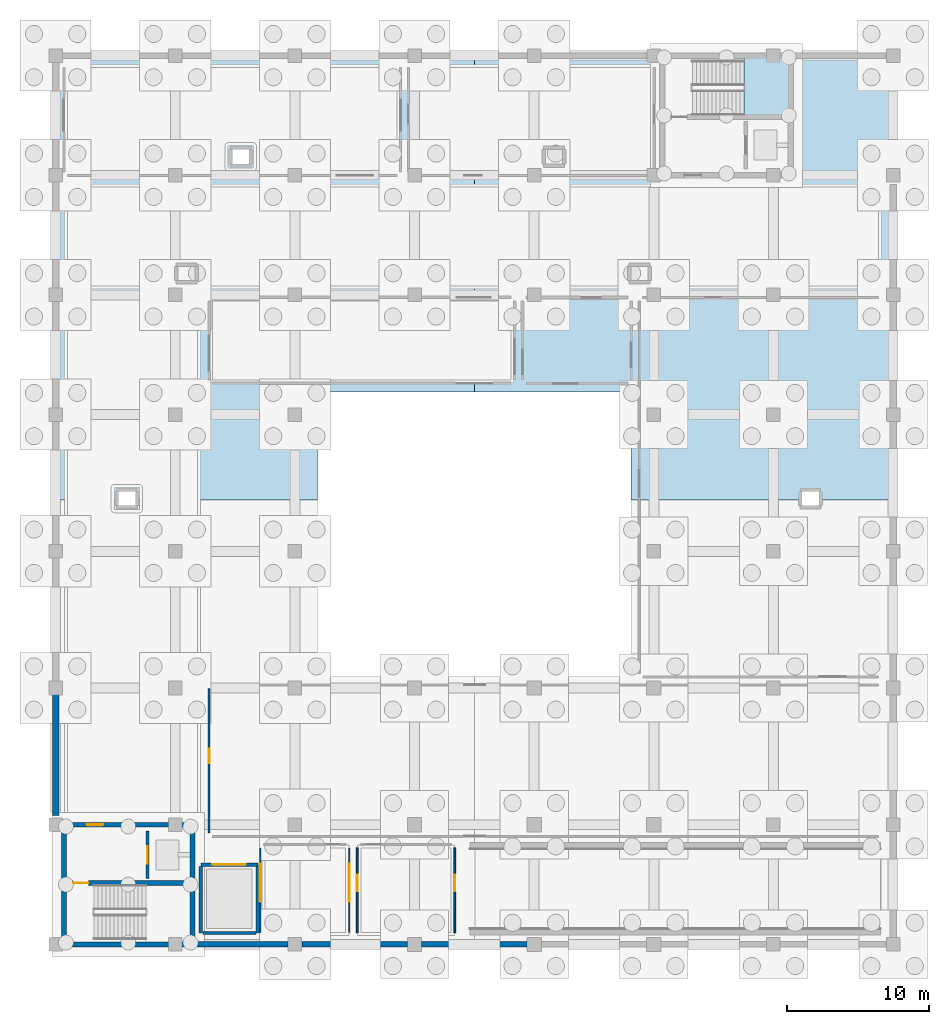
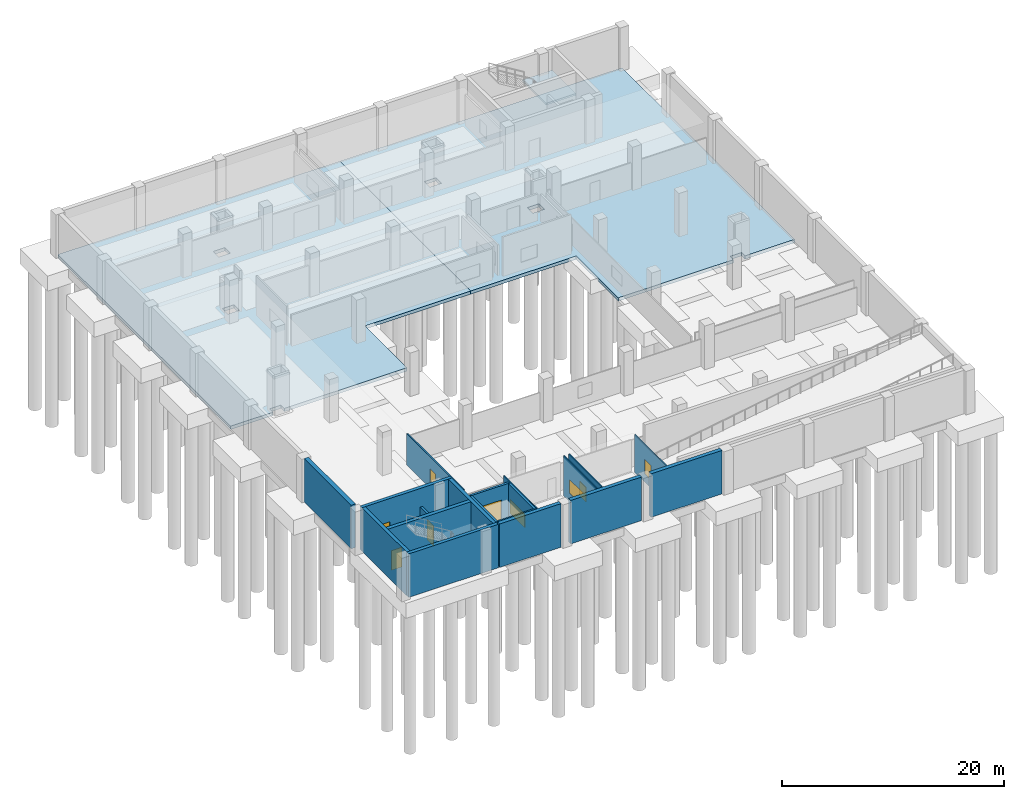
# One storey, part 5 of 12: 19 walls, 5 doors, 4 windows, 3 slabs, 9 openings, 1 element without a shape of its own.
"""IFC4 building model written with IfcOpenShell, lengths in metres."""

from ifc_helpers import new_model, si_unit, direction, frame, frame_2d, origin, place, context, subcontext, project, spatial, polyline, rectangle, outline, extrude, material, layer, layer_set, type_object, element, fill, aggregate, save


model = new_model("IFC4")

# Units and contexts
model_context = context("Model", 3, precision=1e-05, world=origin(), true_north=direction((0.0, 1.0)))
body_context = subcontext(model_context, "Body", "Model", "MODEL_VIEW")
ifc_project = project(units=[si_unit("LENGTHUNIT", "METRE"), si_unit("AREAUNIT", "SQUARE_METRE"), si_unit("VOLUMEUNIT", "CUBIC_METRE"), si_unit("PLANEANGLEUNIT", "RADIAN"), si_unit("MASSUNIT", "GRAM", prefix="KILO")], contexts=[model_context])

# Site, building, storey
site_placement = place(None, origin())
site = spatial("IfcSite", under=ifc_project, at=site_placement, CompositionType="ELEMENT")
building_placement = place(site_placement, origin())
building = spatial("IfcBuilding", under=site, at=building_placement, Name="Zulmaris Art Gallery", CompositionType="ELEMENT")
storey_placement = place(building_placement, frame((0.0, 0.0, -4.800048828125)))
storey = spatial("IfcBuildingStorey", under=building, at=storey_placement, Name="B1", CompositionType="ELEMENT", Elevation=-4.800048828125)

# Slabs
ifc_material_1 = material(Name="Concrete C40/50", Category="concrete")
ifc_layer_1 = layer(ifc_material_1, 0.360107421875)
ifc_layer_set_1 = layer_set([ifc_layer_1], Name="Concrete C40/50")
slab_type_1 = type_object("IfcSlabType", Name="SLAB-SL-BS02", PredefinedType="BASESLAB", material=ifc_layer_set_1)
slab_1_placement = place(storey_placement, frame((0.0, 0.0, -0.35986328125)))
element("IfcSlab", 1, at=slab_1_placement, inside=storey, type_object=slab_type_1, Name="B1 V5-NW slab", PredefinedType="BASESLAB", context=body_context, shape_type="SweptSolid", body=[
    extrude(outline(polyline([(171.0, 75.60009765625), (171.0, 52.0), (160.0, 52.0), (160.0, 44.39990234375), (147.199951171875, 44.39990234375), (147.199951171875, 45.0), (146.0, 45.0), (146.0, 44.39990234375), (141.60009765625, 44.39990234375), (141.60009765625, 75.60009765625), (171.0, 75.60009765625)]), holes=[polyline([(151.39990234375, 60.800048828125), (150.199951171875, 60.800048828125), (150.199951171875, 59.800048828125), (151.39990234375, 59.800048828125), (151.39990234375, 60.800048828125)]), polyline([(155.199951171875, 68.0), (155.199951171875, 69.0), (154.0, 69.0), (154.0, 68.0), (155.199951171875, 68.0)])]), origin(), (0.0, 0.0, 1.0), 0.35986328125),
])
slab_2_placement = place(storey_placement, frame((0.0, 0.0, -0.35986328125)))
element("IfcSlab", 2, at=slab_2_placement, inside=storey, type_object=slab_type_1, Name="B1 V5-NE slab", PredefinedType="BASESLAB", context=body_context, shape_type="SweptSolid", body=[
    extrude(outline(polyline([(200.39990234375, 44.39990234375), (195.199951171875, 44.39990234375), (195.199951171875, 45.0), (194.0, 45.0), (194.0, 44.39990234375), (182.0, 44.39990234375), (182.0, 52.0), (171.0, 52.0), (171.0, 75.60009765625), (200.39990234375, 75.60009765625), (200.39990234375, 44.39990234375)]), holes=[polyline([(183.199951171875, 60.800048828125), (182.0, 60.800048828125), (182.0, 59.800048828125), (183.199951171875, 59.800048828125), (183.199951171875, 60.800048828125)]), polyline([(177.199951171875, 68.0), (177.199951171875, 69.0), (176.0, 69.0), (176.0, 68.0), (177.199951171875, 68.0)])]), origin(), (0.0, 0.0, 1.0), 0.35986328125),
])

# Stair, slab
stair_type = type_object("IfcStairType", Name="STAIR-CORE", PredefinedType="HALF_TURN_STAIR", material=ifc_material_1)
stair_placement = place(storey_placement, origin())
stair = element("IfcStair", 3, at=stair_placement, inside=storey, type_object=stair_type, Name="B1 Exit Stair ST4", PredefinedType="HALF_TURN_STAIR")
ifc_layer_2 = layer(ifc_material_1, 0.2099609375)
ifc_layer_set_2 = layer_set([ifc_layer_2], Name="Concrete C40/50")
slab_type_2 = type_object("IfcSlabType", Name="SLAB-STLND", PredefinedType="LANDING", material=ifc_layer_set_2)
slab_3_placement = place(storey_placement, frame((0.0, 0.0, 2.199951171875)))
slab_3 = element("IfcSlab", 4, at=slab_3_placement, type_object=slab_type_2, Name="ST4 landing 1", PredefinedType="LANDING", context=body_context, shape_type="SweptSolid", body=[
    extrude(outline(polyline([(189.93994140625, 71.18994140625), (193.050048828125, 71.18994140625), (193.050048828125, 75.469970703125), (189.93994140625, 75.469970703125), (189.93994140625, 71.18994140625)])), origin(), (0.0, 0.0, 1.0), 0.2001953125),
])
aggregate(stair, [slab_3])

# Wall, opening, window
ifc_material_2 = material(Name="Moisture-Resistant Tile-Backer Wet Wall", Category="gypsum")
ifc_layer_3 = layer(ifc_material_2, 0.114990234375)
ifc_layer_set_3 = layer_set([ifc_layer_3], Name="Moisture-Resistant Tile-Backer Wet Wall")
wall_type_1 = type_object("IfcWallType", Name="IWALL-PW02", PredefinedType="PARTITIONING", material=ifc_layer_set_3)
wall_1_placement = place(storey_placement, frame((155.97998046875, 14.030029296875, 0.0), z_axis=(0.0, 0.0, 1.0), x_axis=(0.0, 1.0, 0.0)))
wall_1 = element("IfcWall", 5, at=wall_1_placement, inside=storey, type_object=wall_type_1, Name="Basement Staff WC W partition", PredefinedType="PARTITIONING", context=body_context, shape_type="SweptSolid", body=[
    extrude(rectangle(XDim=5.93994140625, YDim=0.114990234375, at=frame_2d((2.969970703125, 0.0))), origin(), (0.0, 0.0, 1.0), 4.360107421875),
])
opening_1_placement = place(wall_1_placement, frame((2.14990234375, 0.0, 0.89990234375)))
opening_1 = element("IfcOpeningElement", 6, at=opening_1_placement, cuts=wall_1, Name="Opening IW07", PredefinedType="OPENING", context=body_context, shape_type="SweptSolid", body=[
    extrude(rectangle(XDim=2.679931640625, YDim=1.52001953125, at=frame_2d((1.33984375, 0.760009765625))), frame((0.0, 0.0673828125, 0.0), z_axis=(0.0, -1.0, 0.0), x_axis=(1.0, 0.0, 0.0)), (0.0, 0.0, 1.0), 0.135009765625),
])
ifc_material_3 = material(Name="Artists Salon Overlook Glazing", Category="glass")
window_type_1 = type_object("IfcWindowType", Name="IWIN-IW07", PartitioningType="SINGLE_PANEL", PredefinedType="WINDOW", material=ifc_material_3)
window_1_placement = place(opening_1_placement, origin())
window_1 = element("IfcWindow", 7, at=window_1_placement, inside=storey, type_object=window_type_1, Name="B1 interior observation window IW07", OverallHeight=1.52001953125, OverallWidth=2.679931640625, PartitioningType="SINGLE_PANEL", PredefinedType="WINDOW", context=body_context, shape_type="SweptSolid", body=[
    extrude(rectangle(XDim=2.679931640625, YDim=1.52001953125, at=frame_2d((1.33984375, 0.760009765625))), frame((0.0, 0.030029296875, 0.0), z_axis=(0.0, -1.0, 0.0), x_axis=(1.0, 0.0, 0.0)), (0.0, 0.0, 1.0), 0.06005859375),
])
fill(opening_1, window_1)

wall_2_placement = place(storey_placement, frame((162.219970703125, 14.030029296875, 0.0), z_axis=(0.0, 0.0, 1.0), x_axis=(0.0, 1.0, 0.0)))
wall_2 = element("IfcWall", 8, at=wall_2_placement, inside=storey, type_object=wall_type_1, Name="Basement Staff WC E partition", PredefinedType="PARTITIONING", context=body_context, shape_type="SweptSolid", body=[
    extrude(rectangle(XDim=5.93994140625, YDim=0.114990234375, at=frame_2d((2.969970703125, 0.0))), origin(), (0.0, 0.0, 1.0), 4.360107421875),
])
opening_2_placement = place(wall_2_placement, frame((2.14990234375, 0.0, 0.89990234375)))
opening_2 = element("IfcOpeningElement", 9, at=opening_2_placement, cuts=wall_2, Name="Opening IW07", PredefinedType="OPENING", context=body_context, shape_type="SweptSolid", body=[
    extrude(rectangle(XDim=2.679931640625, YDim=1.52001953125, at=frame_2d((1.33984375, 0.760009765625))), frame((0.0, 0.0673828125, 0.0), z_axis=(0.0, -1.0, 0.0), x_axis=(1.0, 0.0, 0.0)), (0.0, 0.0, 1.0), 0.135009765625),
])
window_2_placement = place(opening_2_placement, origin())
window_2 = element("IfcWindow", 10, at=window_2_placement, inside=storey, type_object=window_type_1, Name="B1 interior observation window IW07", OverallHeight=1.52001953125, OverallWidth=2.679931640625, PartitioningType="SINGLE_PANEL", PredefinedType="WINDOW", context=body_context, shape_type="SweptSolid", body=[
    extrude(rectangle(XDim=2.679931640625, YDim=1.52001953125, at=frame_2d((1.33984375, 0.760009765625))), frame((0.0, 0.030029296875, 0.0), z_axis=(0.0, -1.0, 0.0), x_axis=(1.0, 0.0, 0.0)), (0.0, 0.0, 1.0), 0.06005859375),
])
fill(opening_2, window_2)

wall_3_placement = place(storey_placement, frame((162.780029296875, 14.030029296875, 0.0), z_axis=(0.0, 0.0, 1.0), x_axis=(0.0, 1.0, 0.0)))
wall_3 = element("IfcWall", 11, at=wall_3_placement, inside=storey, type_object=wall_type_1, Name="Basement Accessible WC W partition", PredefinedType="PARTITIONING", context=body_context, shape_type="SweptSolid", body=[
    extrude(rectangle(XDim=5.93994140625, YDim=0.114990234375, at=frame_2d((2.969970703125, 0.0))), origin(), (0.0, 0.0, 1.0), 4.360107421875),
])
opening_3_placement = place(wall_3_placement, frame((2.89990234375, 0.0, 0.89990234375)))
opening_3 = element("IfcOpeningElement", 12, at=opening_3_placement, cuts=wall_3, Name="Opening IW08", PredefinedType="OPENING", context=body_context, shape_type="SweptSolid", body=[
    extrude(rectangle(XDim=1.159912109375, YDim=1.6201171875, at=frame_2d((0.580078125, 0.81005859375))), frame((0.0, 0.0673828125, 0.0), z_axis=(0.0, -1.0, 0.0), x_axis=(1.0, 0.0, 0.0)), (0.0, 0.0, 1.0), 0.135009765625),
])
ifc_material_4 = material(Name="Foyer Cloakroom Counter Glazing", Category="glass")
window_type_2 = type_object("IfcWindowType", Name="IWIN-IW08", PartitioningType="SINGLE_PANEL", PredefinedType="WINDOW", material=ifc_material_4)
window_3_placement = place(opening_3_placement, origin())
window_3 = element("IfcWindow", 13, at=window_3_placement, inside=storey, type_object=window_type_2, Name="B1 interior observation window IW08", OverallHeight=1.6201171875, OverallWidth=1.159912109375, PartitioningType="SINGLE_PANEL", PredefinedType="WINDOW", context=body_context, shape_type="SweptSolid", body=[
    extrude(rectangle(XDim=1.159912109375, YDim=1.6201171875, at=frame_2d((0.580078125, 0.81005859375))), frame((0.0, 0.030029296875, 0.0), z_axis=(0.0, -1.0, 0.0), x_axis=(1.0, 0.0, 0.0)), (0.0, 0.0, 1.0), 0.06005859375),
])
fill(opening_3, window_3)

wall_4_placement = place(storey_placement, frame((169.6201171875, 14.030029296875, 0.0), z_axis=(0.0, 0.0, 1.0), x_axis=(0.0, 1.0, 0.0)))
wall_4 = element("IfcWall", 14, at=wall_4_placement, inside=storey, type_object=wall_type_1, Name="Basement Accessible WC E partition", PredefinedType="PARTITIONING", context=body_context, shape_type="SweptSolid", body=[
    extrude(rectangle(XDim=5.93994140625, YDim=0.114990234375, at=frame_2d((2.969970703125, 0.0))), origin(), (0.0, 0.0, 1.0), 4.1201171875),
])
opening_4_placement = place(wall_4_placement, frame((2.89990234375, 0.0, 0.89990234375)))
opening_4 = element("IfcOpeningElement", 15, at=opening_4_placement, cuts=wall_4, Name="Opening IW08", PredefinedType="OPENING", context=body_context, shape_type="SweptSolid", body=[
    extrude(rectangle(XDim=1.159912109375, YDim=1.6201171875, at=frame_2d((0.580078125, 0.81005859375))), frame((0.0, 0.0673828125, 0.0), z_axis=(0.0, -1.0, 0.0), x_axis=(1.0, 0.0, 0.0)), (0.0, 0.0, 1.0), 0.135009765625),
])
window_4_placement = place(opening_4_placement, origin())
window_4 = element("IfcWindow", 16, at=window_4_placement, inside=storey, type_object=window_type_2, Name="B1 interior observation window IW08", OverallHeight=1.6201171875, OverallWidth=1.159912109375, PartitioningType="SINGLE_PANEL", PredefinedType="WINDOW", context=body_context, shape_type="SweptSolid", body=[
    extrude(rectangle(XDim=1.159912109375, YDim=1.6201171875, at=frame_2d((0.580078125, 0.81005859375))), frame((0.0, 0.030029296875, 0.0), z_axis=(0.0, -1.0, 0.0), x_axis=(1.0, 0.0, 0.0)), (0.0, 0.0, 1.0), 0.06005859375),
])
fill(opening_4, window_4)

# Wall, opening, door
ifc_material_5 = material(Name="Plywood-Backed Gallery Hanging Partition", Category="wood")
ifc_layer_4 = layer(ifc_material_5, 0.14501953125)
ifc_layer_set_4 = layer_set([ifc_layer_4], Name="Plywood-Backed Gallery Hanging Partition")
wall_type_2 = type_object("IfcWallType", Name="IWALL-PW04", PredefinedType="PARTITIONING", material=ifc_layer_set_4)
wall_5_placement = place(storey_placement, frame((152.3798828125, 21.030029296875, 0.0), z_axis=(0.0, 0.0, 1.0), x_axis=(0.0, 1.0, 0.0)))
wall_5 = element("IfcWall", 17, at=wall_5_placement, inside=storey, type_object=wall_type_2, Name="Basement Car Park Circulation & Stalls W partition", PredefinedType="PARTITIONING", context=body_context, shape_type="SweptSolid", body=[
    extrude(rectangle(XDim=10.139892578125, YDim=0.14501953125, at=frame_2d((5.06982421875, 0.0))), origin(), (0.0, 0.0, 1.0), 3.4599609375),
])
opening_5_placement = place(wall_5_placement, frame((4.89990234375, 0.0, 0.0)))
opening_5 = element("IfcOpeningElement", 18, at=opening_5_placement, cuts=wall_5, Name="Opening D04", PredefinedType="OPENING", context=body_context, shape_type="SweptSolid", body=[
    extrude(rectangle(XDim=1.0, YDim=2.159912109375, at=frame_2d((0.5, 1.080078125))), frame((0.0, 0.08251953125, 0.0), z_axis=(0.0, -1.0, 0.0), x_axis=(1.0, 0.0, 0.0)), (0.0, 0.0, 1.0), 0.1650390625),
])
ifc_material_6 = material(Name="Curatorial Office Acoustic Timber Door", Category="wood")
door_type_1 = type_object("IfcDoorType", Name="IDOOR-D04", OperationType="NOTDEFINED", PredefinedType="DOOR", material=ifc_material_6)
door_1_placement = place(opening_5_placement, origin())
door_1 = element("IfcDoor", 19, at=door_1_placement, inside=storey, type_object=door_type_1, Name="Basement Car Park Circulation & Stalls Door", OperationType="SINGLE_SWING_LEFT", OverallHeight=2.159912109375, OverallWidth=1.0, PredefinedType="DOOR", context=body_context, shape_type="SweptSolid", body=[
    extrude(rectangle(XDim=1.0, YDim=2.159912109375, at=frame_2d((0.5, 1.080078125))), frame((0.0, 0.02490234375, 0.0), z_axis=(0.0, -1.0, 0.0), x_axis=(1.0, 0.0, 0.0)), (0.0, 0.0, 1.0), 0.050048828125),
])
fill(opening_5, door_1)

ifc_material_7 = material(Name="Core Lobby Fire-Resisting Masonry Wall", Category="masonry")
ifc_layer_5 = layer(ifc_material_7, 0.235107421875)
ifc_layer_set_5 = layer_set([ifc_layer_5], Name="Core Lobby Fire-Resisting Masonry Wall")
wall_type_3 = type_object("IfcWallType", Name="IWALL-PW10", PredefinedType="PARTITIONING", material=ifc_layer_set_5)
wall_6_placement = place(storey_placement, frame((148.050048828125, 17.820068359375, 0.0), z_axis=(0.0, 0.0, 1.0), x_axis=(0.0, 1.0, 0.0)))
wall_6 = element("IfcWall", 20, at=wall_6_placement, inside=storey, type_object=wall_type_3, Name="LF-F2 B1 lift shaft front wall", PredefinedType="PARTITIONING", context=body_context, shape_type="SweptSolid", body=[
    extrude(rectangle(XDim=3.329833984375, YDim=0.235107421875, at=frame_2d((1.6650390625, 0.0))), origin(), (0.0, 0.0, 1.0), 2.9599609375),
])
opening_6_placement = place(wall_6_placement, frame((1.054931640625, 0.0, 0.0)))
opening_6 = element("IfcOpeningElement", 21, at=opening_6_placement, cuts=wall_6, Name="Opening LD02", PredefinedType="OPENING", context=body_context, shape_type="SweptSolid", body=[
    extrude(rectangle(XDim=1.219970703125, YDim=2.239990234375, at=frame_2d((0.60986328125, 1.1201171875))), frame((0.0, 0.12744140625, 0.0), z_axis=(0.0, -1.0, 0.0), x_axis=(1.0, 0.0, 0.0)), (0.0, 0.0, 1.0), 0.255126953125),
])
ifc_material_8 = material(Name="Firefighting Lift Sliding Landing Door", Category="steel")
door_type_2 = type_object("IfcDoorType", Name="IDOOR-LD02", OperationType="SLIDING_TO_RIGHT", PredefinedType="DOOR", material=ifc_material_8)
door_2_placement = place(opening_6_placement, origin())
door_2 = element("IfcDoor", 22, at=door_2_placement, inside=storey, type_object=door_type_2, Name="LF-F2 B1 Lift Landing Sliding Door", OperationType="SLIDING_TO_RIGHT", OverallHeight=2.239990234375, OverallWidth=1.219970703125, PredefinedType="DOOR", context=body_context, shape_type="SweptSolid", body=[
    extrude(rectangle(XDim=1.219970703125, YDim=2.239990234375, at=frame_2d((0.60986328125, 1.1201171875))), frame((0.0, 0.02490234375, 0.0), z_axis=(0.0, -1.0, 0.0), x_axis=(1.0, 0.0, 0.0)), (0.0, 0.0, 1.0), 0.050048828125),
])
fill(opening_6, door_2)

wall_7_placement = place(storey_placement, frame((151.800048828125, 18.800048828125, 0.0), z_axis=(0.0, 0.0, 1.0), x_axis=(1.0, 0.0, 0.0)))
wall_7 = element("IfcWall", 23, at=wall_7_placement, inside=storey, type_object=wall_type_3, Name="Goods Lift B1 north shaft wall", PredefinedType="PARTITIONING", context=body_context, shape_type="SweptSolid", body=[
    extrude(rectangle(XDim=4.0, YDim=0.235107421875, at=frame_2d((2.0, 0.0))), origin(), (0.0, 0.0, 1.0), 4.360107421875),
])
opening_7_placement = place(wall_7_placement, frame((0.800048828125, 0.0, 0.0)))
opening_7 = element("IfcOpeningElement", 24, at=opening_7_placement, cuts=wall_7, Name="Opening LD03", PredefinedType="OPENING", context=body_context, shape_type="SweptSolid", body=[
    extrude(rectangle(XDim=2.360107421875, YDim=2.780029296875, at=frame_2d((1.18017578125, 1.39013671875))), frame((0.0, 0.12744140625, 0.0), z_axis=(0.0, -1.0, 0.0), x_axis=(1.0, 0.0, 0.0)), (0.0, 0.0, 1.0), 0.255126953125),
])
ifc_material_9 = material(Name="Goods Lift Oversize Sliding Landing Door", Category="steel")
door_type_3 = type_object("IfcDoorType", Name="IDOOR-LD03", OperationType="SLIDING_TO_LEFT", PredefinedType="DOOR", material=ifc_material_9)
door_3_placement = place(opening_7_placement, origin())
door_3 = element("IfcDoor", 25, at=door_3_placement, inside=storey, type_object=door_type_3, Name="Goods Lift LF-G1 B1 Sliding Landing Door", OperationType="SLIDING_TO_LEFT", OverallHeight=2.780029296875, OverallWidth=2.360107421875, PredefinedType="DOOR", context=body_context, shape_type="SweptSolid", body=[
    extrude(rectangle(XDim=2.360107421875, YDim=2.780029296875, at=frame_2d((1.18017578125, 1.39013671875))), frame((0.0, 0.02490234375, 0.0), z_axis=(0.0, -1.0, 0.0), x_axis=(1.0, 0.0, 0.0)), (0.0, 0.0, 1.0), 0.050048828125),
])
fill(opening_7, door_3)

# Walls
for number, where, z_axis, x_axis, name in (
    (26, (151.800048828125, 14.0, 0.0), (0.0, 0.0, 1.0), (0.0, 1.0, 0.0), "Goods Lift B1 west shaft wall"),
    (27, (155.800048828125, 14.0, 0.0), (0.0, 0.0, 1.0), (0.0, 1.0, 0.0), "Goods Lift B1 east shaft wall"),
):
    element("IfcWall", number, at=place(storey_placement, frame(where, z_axis=z_axis, x_axis=x_axis)), inside=storey, type_object=wall_type_3, Name=name, PredefinedType="PARTITIONING", context=body_context, shape_type="SweptSolid", body=[
        extrude(rectangle(XDim=4.659912109375, YDim=0.235107421875, at=frame_2d((2.330078125, 0.0))), origin(), (0.0, 0.0, 1.0), 4.360107421875),
    ])
wall_8_placement = place(storey_placement, frame((151.93994140625, 14.0, 0.0), z_axis=(0.0, 0.0, 1.0), x_axis=(1.0, 0.0, 0.0)))
element("IfcWall", 28, at=wall_8_placement, inside=storey, type_object=wall_type_3, Name="Goods Lift B1 south shaft wall", PredefinedType="PARTITIONING", context=body_context, shape_type="SweptSolid", body=[
    extrude(rectangle(XDim=3.719970703125, YDim=0.235107421875, at=frame_2d((1.85986328125, 0.0))), origin(), (0.0, 0.0, 1.0), 4.360107421875),
])
ifc_layer_6 = layer(ifc_material_1, 0.39990234375)
ifc_layer_set_6 = layer_set([ifc_layer_6], Name="Concrete C40/50")
wall_type_4 = type_object("IfcWallType", Name="STR-WALL-RW01", PredefinedType="USERDEFINED", material=ifc_layer_set_6)
wall_9_placement = place(storey_placement, frame((151.5, 13.199951171875, 0.0), z_axis=(0.0, 0.0, 1.0), x_axis=(1.0, 0.0, 0.0)))
element("IfcWall", 29, at=wall_9_placement, inside=storey, type_object=wall_type_4, Name="B1 South retaining wall bay 1", ObjectType="RETAINING WALL", PredefinedType="USERDEFINED", context=body_context, shape_type="SweptSolid", body=[
    extrude(rectangle(XDim=6.39990234375, YDim=0.39990234375, at=frame_2d((3.199951171875, 0.0))), origin(), (0.0, 0.0, 1.0), 4.800048828125),
])
wall_10_placement = place(storey_placement, frame((158.89990234375, 13.199951171875, 0.0), z_axis=(0.0, 0.0, 1.0), x_axis=(1.0, 0.0, 0.0)))
element("IfcWall", 30, at=wall_10_placement, inside=storey, type_object=wall_type_4, Name="B1 South retaining wall bay 2", ObjectType="RETAINING WALL", PredefinedType="USERDEFINED", context=body_context, shape_type="SweptSolid", body=[
    extrude(rectangle(XDim=7.400146484375, YDim=0.39990234375, at=frame_2d((3.7001953125, 0.0))), origin(), (0.0, 0.0, 1.0), 4.800048828125),
])
wall_11_placement = place(storey_placement, frame((167.300048828125, 13.199951171875, 0.0), z_axis=(0.0, 0.0, 1.0), x_axis=(1.0, 0.0, 0.0)))
element("IfcWall", 31, at=wall_11_placement, inside=storey, type_object=wall_type_4, Name="B1 South retaining wall bay 3", ObjectType="RETAINING WALL", PredefinedType="USERDEFINED", context=body_context, shape_type="SweptSolid", body=[
    extrude(rectangle(XDim=7.39990234375, YDim=0.39990234375, at=frame_2d((3.699951171875, 0.0))), origin(), (0.0, 0.0, 1.0), 4.800048828125),
])
ifc_layer_7 = layer(ifc_material_1, 0.449951171875)
ifc_layer_set_7 = layer_set([ifc_layer_7], Name="Concrete C40/50")
wall_type_5 = type_object("IfcWallType", Name="STR-WALL-RW02", PredefinedType="USERDEFINED", material=ifc_layer_set_7)
wall_12_placement = place(storey_placement, frame((141.60009765625, 22.25, 0.0), z_axis=(0.0, 0.0, 1.0), x_axis=(0.0, 1.0, 0.0)))
element("IfcWall", 32, at=wall_12_placement, inside=storey, type_object=wall_type_5, Name="B1 West retaining wall y=21.8", ObjectType="RETAINING WALL", PredefinedType="USERDEFINED", context=body_context, shape_type="SweptSolid", body=[
    extrude(rectangle(XDim=8.5, YDim=0.449951171875, at=frame_2d((4.25, 0.0))), origin(), (0.0, 0.0, 1.0), 4.800048828125),
])
ifc_material_10 = material(Name="Concrete C50/60", Category="concrete")
ifc_layer_8 = layer(ifc_material_10, 0.35009765625)
ifc_layer_set_8 = layer_set([ifc_layer_8], Name="Concrete C50/60")
wall_type_6 = type_object("IfcWallType", Name="STR-WALL-SW01", PredefinedType="SHEAR", material=ifc_layer_set_8)
wall_13_placement = place(storey_placement, frame((151.375, 13.199951171875, 0.0), z_axis=(0.0, 0.0, 1.0), x_axis=(-1.0, 0.0, 0.0)))
element("IfcWall", 33, at=wall_13_placement, inside=storey, type_object=wall_type_6, Name="Core C3 B1 S shear wall", PredefinedType="SHEAR", context=body_context, shape_type="SweptSolid", body=[
    extrude(rectangle(XDim=9.35009765625, YDim=0.35009765625, at=frame_2d((4.675048828125, 0.0))), origin(), (0.0, 0.0, 1.0), 4.800048828125),
])

# Wall, opening, door
wall_14_placement = place(storey_placement, frame((142.02490234375, 21.60009765625, 0.0), z_axis=(0.0, 0.0, 1.0), x_axis=(1.0, 0.0, 0.0)))
wall_14 = element("IfcWall", 34, at=wall_14_placement, inside=storey, type_object=wall_type_6, Name="Core C3 B1 N shear wall", PredefinedType="SHEAR", context=body_context, shape_type="SweptSolid", body=[
    extrude(rectangle(XDim=9.35009765625, YDim=0.35009765625, at=frame_2d((4.675048828125, 0.0))), origin(), (0.0, 0.0, 1.0), 4.800048828125),
])
opening_8_placement = place(wall_14_placement, frame((1.75, 0.0, 0.0)))
opening_8 = element("IfcOpeningElement", 35, at=opening_8_placement, cuts=wall_14, Name="Opening D08", PredefinedType="OPENING", context=body_context, shape_type="SweptSolid", body=[
    extrude(rectangle(XDim=1.179931640625, YDim=2.239990234375, at=frame_2d((0.58984375, 1.1201171875))), frame((0.0, 0.18505859375, 0.0), z_axis=(0.0, -1.0, 0.0), x_axis=(1.0, 0.0, 0.0)), (0.0, 0.0, 1.0), 0.3701171875),
])
ifc_material_11 = material(Name="Firefighting Lobby Compartment Door", Category="steel")
door_type_4 = type_object("IfcDoorType", Name="IDOOR-D08", OperationType="NOTDEFINED", PredefinedType="DOOR", material=ifc_material_11)
door_4_placement = place(opening_8_placement, origin())
door_4 = element("IfcDoor", 36, at=door_4_placement, inside=storey, type_object=door_type_4, Name="Core C3 B1 Lobby Compartment Door", OperationType="SINGLE_SWING_RIGHT", OverallHeight=2.239990234375, OverallWidth=1.179931640625, PredefinedType="DOOR", context=body_context, shape_type="SweptSolid", body=[
    extrude(rectangle(XDim=1.179931640625, YDim=2.239990234375, at=frame_2d((0.58984375, 1.1201171875))), frame((0.0, 0.02490234375, 0.0), z_axis=(0.0, -1.0, 0.0), x_axis=(1.0, 0.0, 0.0)), (0.0, 0.0, 1.0), 0.050048828125),
])
fill(opening_8, door_4)

# Walls
for number, where, z_axis, x_axis, name in (
    (37, (142.199951171875, 13.375, 0.0), (0.0, 0.0, 1.0), (0.0, 1.0, 0.0), "Core C3 B1 W shear wall"),
    (38, (151.199951171875, 13.375, 0.0), (0.0, 0.0, 1.0), (0.0, 1.0, 0.0), "Core C3 B1 E shear wall"),
):
    element("IfcWall", number, at=place(storey_placement, frame(where, z_axis=z_axis, x_axis=x_axis)), inside=storey, type_object=wall_type_6, Name=name, PredefinedType="SHEAR", context=body_context, shape_type="SweptSolid", body=[
        extrude(rectangle(XDim=8.050048828125, YDim=0.35009765625, at=frame_2d((4.02490234375, 0.0))), origin(), (0.0, 0.0, 1.0), 4.800048828125),
    ])

# Wall, opening, door
ifc_layer_9 = layer(ifc_material_10, 0.3798828125)
ifc_layer_set_9 = layer_set([ifc_layer_9], Name="Concrete C50/60")
wall_type_7 = type_object("IfcWallType", Name="STR-WALL-SW02", PredefinedType="SHEAR", material=ifc_layer_set_9)
wall_15_placement = place(storey_placement, frame((142.375, 17.510009765625, 0.0), z_axis=(0.0, 0.0, 1.0), x_axis=(1.0, 0.0, 0.0)))
wall_15 = element("IfcWall", 39, at=wall_15_placement, inside=storey, type_object=wall_type_7, Name="Core C3 B1 DIV shear wall", PredefinedType="SHEAR", context=body_context, shape_type="SweptSolid", body=[
    extrude(rectangle(XDim=8.64990234375, YDim=0.3798828125, at=frame_2d((4.324951171875, 0.0))), origin(), (0.0, 0.0, 1.0), 4.800048828125),
])
opening_9_placement = place(wall_15_placement, frame((0.449951171875, 0.0, 0.0)))
opening_9 = element("IfcOpeningElement", 40, at=opening_9_placement, cuts=wall_15, Name="Opening D07", PredefinedType="OPENING", context=body_context, shape_type="SweptSolid", body=[
    extrude(rectangle(XDim=1.080078125, YDim=2.179931640625, at=frame_2d((0.5400390625, 1.08984375))), frame((0.0, 0.199951171875, 0.0), z_axis=(0.0, -1.0, 0.0), x_axis=(1.0, 0.0, 0.0)), (0.0, 0.0, 1.0), 0.39990234375),
])
ifc_material_12 = material(Name="Stairwell Fire Escape Door", Category="steel")
door_type_5 = type_object("IfcDoorType", Name="IDOOR-D07", OperationType="NOTDEFINED", PredefinedType="DOOR", material=ifc_material_12)
door_5_placement = place(opening_9_placement, origin())
door_5 = element("IfcDoor", 41, at=door_5_placement, inside=storey, type_object=door_type_5, Name="Core C3 B1 Stair ST3 Fire Door", OperationType="SINGLE_SWING_LEFT", OverallHeight=2.179931640625, OverallWidth=1.080078125, PredefinedType="DOOR", context=body_context, shape_type="SweptSolid", body=[
    extrude(rectangle(XDim=1.080078125, YDim=2.179931640625, at=frame_2d((0.5400390625, 1.08984375))), frame((0.0, 0.02490234375, 0.0), z_axis=(0.0, -1.0, 0.0), x_axis=(1.0, 0.0, 0.0)), (0.0, 0.0, 1.0), 0.050048828125),
])
fill(opening_9, door_5)

save(model, "model.ifc")
